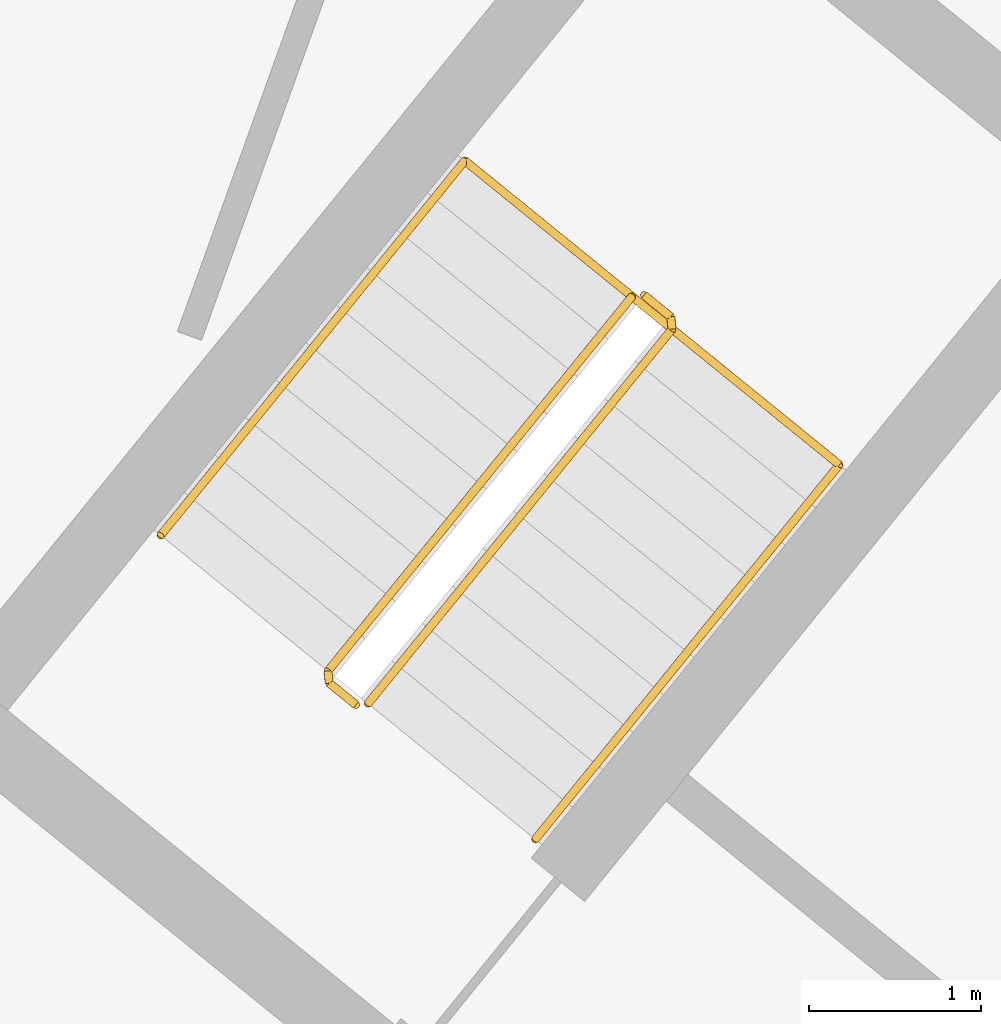
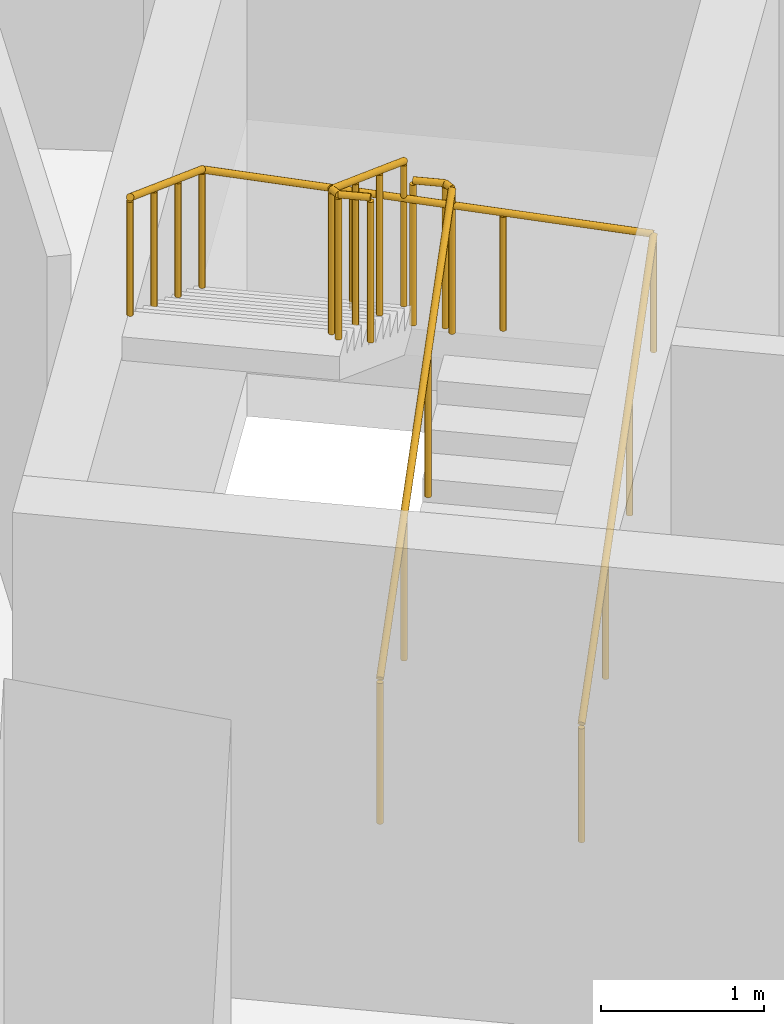
# One storey, part 21 of 21: 3 railings.
"""IFC4 building model written with IfcOpenShell, lengths in metres."""

from ifc_helpers import new_model, si_unit, direction, frame, origin, origin_2d, place, context, subcontext, project, spatial, circle, extrude, material, type_object, element, save


model = new_model("IFC4")

# Units and contexts
model_context = context("Model", 3, precision=1e-05, world=origin(), true_north=direction((0.0, 1.0)))
body_context = subcontext(model_context, "Body", "Model", "MODEL_VIEW")
ifc_project = project(units=[si_unit("LENGTHUNIT", "METRE"), si_unit("AREAUNIT", "SQUARE_METRE"), si_unit("VOLUMEUNIT", "CUBIC_METRE"), si_unit("PLANEANGLEUNIT", "RADIAN"), si_unit("MASSUNIT", "GRAM", prefix="KILO")], contexts=[model_context])

# Site, building, storey
site_placement = place(None, origin())
site = spatial("IfcSite", under=ifc_project, at=site_placement, CompositionType="ELEMENT")
building_placement = place(site_placement, origin())
building = spatial("IfcBuilding", under=site, at=building_placement, Name="Stone Belt Terrace Tower", CompositionType="ELEMENT")
storey_placement = place(building_placement, frame((0.0, 0.0, 37.60009765625)))
storey = spatial("IfcBuildingStorey", under=building, at=storey_placement, Name="L08", CompositionType="ELEMENT", Elevation=37.60009765625)

# Railings
ifc_material = material(Name="Structural steel C345", Category="steel")
railing_type_1 = type_object("IfcRailingType", Name="Stair guard 1100", PredefinedType="GUARDRAIL", material=ifc_material)
railing_1_placement = place(storey_placement, frame((29.39794921875, 38.281982421875, 0.172607421875)))
element("IfcRailing", 1, at=railing_1_placement, inside=storey, type_object=railing_type_1, Name="L08 ST3B stair guard 1", PredefinedType="GUARDRAIL", context=body_context, shape_type="SweptSolid", body=[
    extrude(circle(Radius=0.02392578125, at=origin_2d()), frame((0.0, 0.0, 1.076171875), z_axis=(0.536393061503, 0.660769759217, 0.525038864158), x_axis=(-0.776391310223, 0.630251166924, 0.0)), (0.0, 0.0, 1.0), 3.289794921875),
    extrude(circle(Radius=0.02392578125, at=origin_2d()), frame((1.7646484375, 2.173828125, 2.80322265625), z_axis=(-0.103251414163, 0.994655289773, 0.0), x_axis=(-0.994655289773, -0.103251414163, 0.0)), (0.0, 0.0, 1.0), 0.071044921875),
    extrude(circle(Radius=0.02392578125, at=origin_2d()), frame((1.75732421875, 2.244384765625, 2.80322265625), z_axis=(-0.776561986372, 0.630040856868, 0.0), x_axis=(-0.630040856868, -0.776561986372, 0.0)), (0.0, 0.0, 1.0), 0.199951171875),
    extrude(circle(Radius=0.02099609375, at=origin_2d()), origin(), (0.0, 0.0, 1.0), 1.052001953125),
    extrude(circle(Radius=0.02099609375, at=origin_2d()), frame((0.588134765625, 0.724609375, 0.57568359375)), (0.0, 0.0, 1.0), 1.052001953125),
    extrude(circle(Radius=0.02099609375, at=origin_2d()), frame((1.176513671875, 1.44921875, 1.151611328125)), (0.0, 0.0, 1.0), 1.052001953125),
    extrude(circle(Radius=0.02099609375, at=origin_2d()), frame((1.7646484375, 2.173828125, 1.727294921875)), (0.0, 0.0, 1.0), 1.052001953125),
    extrude(circle(Radius=0.02099609375, at=origin_2d()), frame((1.75732421875, 2.244384765625, 1.727294921875)), (0.0, 0.0, 1.0), 1.052001953125),
    extrude(circle(Radius=0.02099609375, at=origin_2d()), frame((1.60205078125, 2.370361328125, 1.727294921875)), (0.0, 0.0, 1.0), 1.052001953125),
])
railing_2_placement = place(storey_placement, frame((30.9296875, 40.64501953125, 2.072509765625)))
element("IfcRailing", 2, at=railing_2_placement, inside=storey, type_object=railing_type_1, Name="L08 ST3B stair guard 2", PredefinedType="GUARDRAIL", context=body_context, shape_type="SweptSolid", body=[
    extrude(circle(Radius=0.02392578125, at=origin_2d()), frame((0.0, 0.0, 1.076171875), z_axis=(-0.536366759382, -0.660811565066, 0.525013118792), x_axis=(0.776425942316, -0.630208502084, 0.0)), (0.0, 0.0, 1.0), 3.2900390625),
    extrude(circle(Radius=0.02392578125, at=origin_2d()), frame((-1.7646484375, -2.174072265625, 2.80322265625), z_axis=(0.103606084259, -0.994618408891, 0.0), x_axis=(0.994618408891, 0.103606084259, 0.0)), (0.0, 0.0, 1.0), 0.07080078125),
    extrude(circle(Radius=0.02392578125, at=origin_2d()), frame((-1.75732421875, -2.244384765625, 2.80322265625), z_axis=(0.776561986372, -0.630040856868, 0.0), x_axis=(0.630040856868, 0.776561986372, 0.0)), (0.0, 0.0, 1.0), 0.199951171875),
    extrude(circle(Radius=0.02099609375, at=origin_2d()), origin(), (0.0, 0.0, 1.0), 1.052001953125),
    extrude(circle(Radius=0.02099609375, at=origin_2d()), frame((-0.588134765625, -0.724609375, 0.57568359375)), (0.0, 0.0, 1.0), 1.052001953125),
    extrude(circle(Radius=0.02099609375, at=origin_2d()), frame((-1.176513671875, -1.449462890625, 1.151611328125)), (0.0, 0.0, 1.0), 1.052001953125),
    extrude(circle(Radius=0.02099609375, at=origin_2d()), frame((-1.7646484375, -2.174072265625, 1.727294921875)), (0.0, 0.0, 1.0), 1.052001953125),
    extrude(circle(Radius=0.02099609375, at=origin_2d()), frame((-1.75732421875, -2.244384765625, 1.727294921875)), (0.0, 0.0, 1.0), 1.052001953125),
    extrude(circle(Radius=0.02099609375, at=origin_2d()), frame((-1.60205078125, -2.370361328125, 1.727294921875)), (0.0, 0.0, 1.0), 1.052001953125),
])
railing_type_2 = type_object("IfcRailingType", Name="Stair handrail 900", PredefinedType="HANDRAIL", material=ifc_material)
railing_3_placement = place(storey_placement, frame((30.36865234375, 37.494140625, 0.172607421875)))
element("IfcRailing", 3, at=railing_3_placement, inside=storey, type_object=railing_type_2, Name="L08 ST3B stair handrail 1", PredefinedType="HANDRAIL", context=body_context, shape_type="SweptSolid", body=[
    extrude(circle(Radius=0.02392578125, at=origin_2d()), frame((0.0, 0.0, 0.8759765625), z_axis=(0.536366759382, 0.660811565066, 0.525013118792), x_axis=(-0.776425942316, 0.630208502084, 0.0)), (0.0, 0.0, 1.0), 3.2900390625),
    extrude(circle(Radius=0.02392578125, at=origin_2d()), frame((1.7646484375, 2.174072265625, 2.60302734375), z_axis=(-0.774954966459, 0.629014542119, 0.061526463929), x_axis=(-0.630208502084, -0.776425942316, 0.0)), (0.0, 0.0, 1.0), 2.805419921875),
    extrude(circle(Radius=0.02392578125, at=origin_2d()), frame((-0.409423828125, 3.938720703125, 2.77587890625), z_axis=(-0.536366759382, -0.660811565066, 0.525013118792), x_axis=(0.776425942316, -0.630208502084, 0.0)), (0.0, 0.0, 1.0), 3.2900390625),
    extrude(circle(Radius=0.02099609375, at=origin_2d()), origin(), (0.0, 0.0, 1.0), 0.851806640625),
    extrude(circle(Radius=0.02099609375, at=origin_2d()), frame((0.588134765625, 0.724609375, 0.57568359375)), (0.0, 0.0, 1.0), 0.851806640625),
    extrude(circle(Radius=0.02099609375, at=origin_2d()), frame((1.176513671875, 1.449462890625, 1.151611328125)), (0.0, 0.0, 1.0), 0.851806640625),
    extrude(circle(Radius=0.02099609375, at=origin_2d()), frame((1.7646484375, 2.174072265625, 1.727294921875)), (0.0, 0.0, 1.0), 0.851806640625),
    extrude(circle(Radius=0.02099609375, at=origin_2d()), frame((1.0400390625, 2.76220703125, 1.784912109375)), (0.0, 0.0, 1.0), 0.851806640625),
    extrude(circle(Radius=0.02099609375, at=origin_2d()), frame((0.315185546875, 3.3505859375, 1.84228515625)), (0.0, 0.0, 1.0), 0.851806640625),
    extrude(circle(Radius=0.02099609375, at=origin_2d()), frame((-0.409423828125, 3.938720703125, 1.89990234375)), (0.0, 0.0, 1.0), 0.851806640625),
    extrude(circle(Radius=0.02099609375, at=origin_2d()), frame((-0.99755859375, 3.214111328125, 2.4755859375)), (0.0, 0.0, 1.0), 0.851806640625),
    extrude(circle(Radius=0.02099609375, at=origin_2d()), frame((-1.5859375, 2.4892578125, 3.051513671875)), (0.0, 0.0, 1.0), 0.851806640625),
    extrude(circle(Radius=0.02099609375, at=origin_2d()), frame((-2.174072265625, 1.7646484375, 3.627197265625)), (0.0, 0.0, 1.0), 0.851806640625),
])

save(model, "model.ifc")
